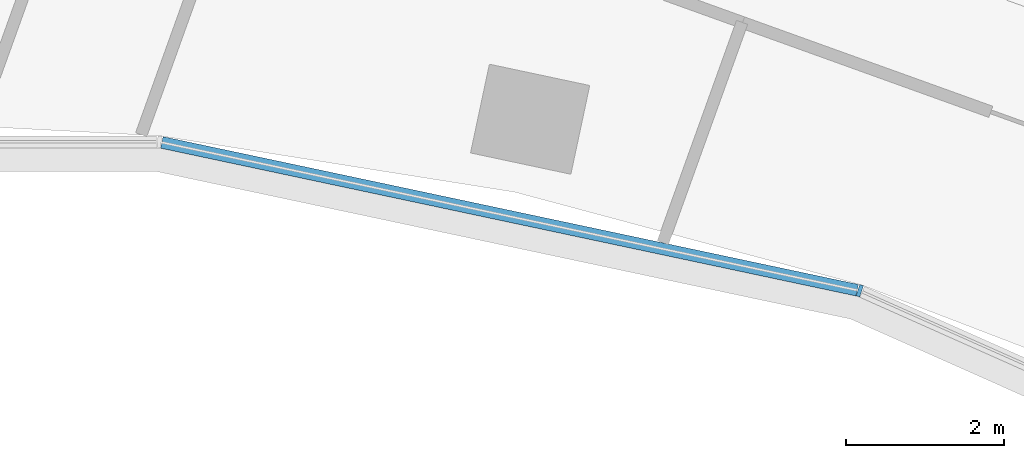
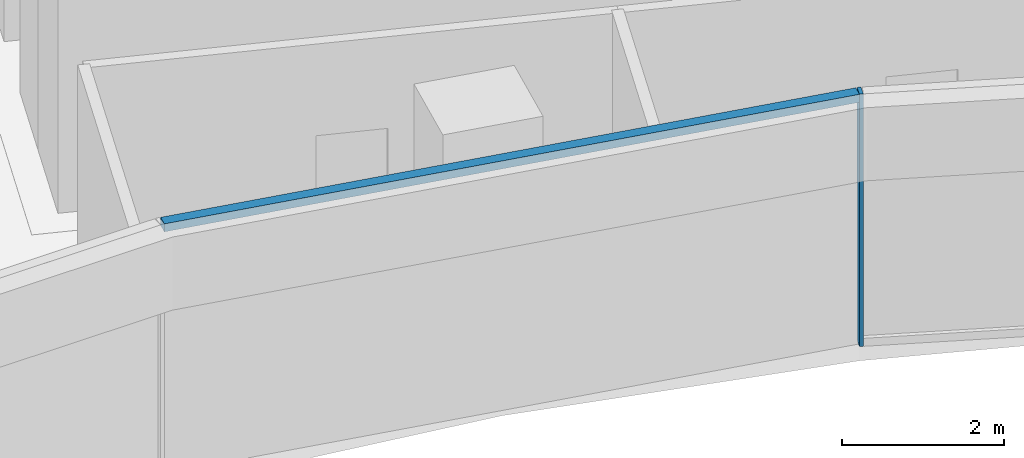
# One storey, part 5 of 22: 2 members, 1 element without a shape of its own.
"""IFC4 building model written with IfcOpenShell, lengths in metres."""

from ifc_helpers import new_model, si_unit, direction, frame, origin, origin_2d, place, context, subcontext, project, spatial, rectangle, extrude, material, layer, layer_set, material_profile, profile_set, type_object, element, aggregate, save


model = new_model("IFC4")

# Units and contexts
model_context = context("Model", 3, precision=1e-05, world=origin(), true_north=direction((0.0, 1.0)))
body_context = subcontext(model_context, "Body", "Model", "MODEL_VIEW")
ifc_project = project(units=[si_unit("LENGTHUNIT", "METRE"), si_unit("AREAUNIT", "SQUARE_METRE"), si_unit("VOLUMEUNIT", "CUBIC_METRE"), si_unit("PLANEANGLEUNIT", "RADIAN"), si_unit("MASSUNIT", "GRAM", prefix="KILO")], contexts=[model_context])

# Site, building, storey
site_placement = place(None, origin())
site = spatial("IfcSite", under=ifc_project, at=site_placement, CompositionType="ELEMENT")
building_placement = place(site_placement, origin())
building = spatial("IfcBuilding", under=site, at=building_placement, Name="Stone Belt Terrace Tower", CompositionType="ELEMENT")
storey_placement = place(building_placement, frame((0.0, 0.0, 121.199951171875)))
storey = spatial("IfcBuildingStorey", under=building, at=storey_placement, Name="L29", CompositionType="ELEMENT", Elevation=121.199951171875)

# Curtain wall, members
ifc_material = material(Name="Aluminium 6063-T6 anodised frame", Category="aluminium")
ifc_layer = layer(ifc_material, 0.14990234375)
ifc_layer_set = layer_set([ifc_layer], Name="CW-B unitised concave-face curtain wall")
curtain_wall_type = type_object("IfcCurtainWallType", Name="CW-B unitised concave-face curtain wall", PredefinedType="NOTDEFINED", material=ifc_layer_set)
curtain_wall_placement = place(storey_placement, origin())
curtain_wall = element("IfcCurtainWall", 1, at=curtain_wall_placement, inside=storey, type_object=curtain_wall_type, Name="CW-B concave face L29", PredefinedType="NOTDEFINED")
ifc_material_profile_1 = material_profile(ifc_material, rectangle(XDim=0.14990234375, YDim=0.050048828125, at=origin_2d()), Name="Aluminium 6063-T6 50x150")
ifc_profile_set_1 = profile_set([ifc_material_profile_1], Name="Aluminium 6063-T6 anodised frame")
member_type_1 = type_object("IfcMemberType", Name="CW-B mullion 50 x 150", PredefinedType="MULLION", material=ifc_profile_set_1)
member_1_placement = place(storey_placement, frame((13.4189453125, 41.29931640625, 0.0), z_axis=(0.0, 0.0, 1.0), x_axis=(0.309016994375, 0.951056516295, 0.0)))
member_1 = element("IfcMember", 2, at=member_1_placement, type_object=member_type_1, Name="CW-B mullion 7", PredefinedType="MULLION", context=body_context, shape_type="SweptSolid", body=[
    extrude(rectangle(XDim=0.14990234375, YDim=0.050048828125, at=origin_2d()), origin(), (0.0, 0.0, 1.0), 3.800048828125),
])
ifc_material_profile_2 = material_profile(ifc_material, rectangle(XDim=0.14990234375, YDim=0.1201171875, at=origin_2d()), Name="Aluminium 6063-T6 150x120")
ifc_profile_set_2 = profile_set([ifc_material_profile_2], Name="Aluminium 6063-T6 anodised frame")
member_type_2 = type_object("IfcMemberType", Name="CW-B transom 120 x 150", PredefinedType="USERDEFINED", material=ifc_profile_set_2)
member_2_placement = place(storey_placement, frame((4.571044921875, 43.179931640625, 3.739990234375), z_axis=(0.9781499003, -0.207900871914, 0.0), x_axis=(0.207900871914, 0.9781499003, 0.0)))
member_2 = element("IfcMember", 3, at=member_2_placement, type_object=member_type_2, Name="CW-B transom 6.1", ObjectType="TRANSOM", PredefinedType="USERDEFINED", context=body_context, shape_type="SweptSolid", body=[
    extrude(rectangle(XDim=0.14990234375, YDim=0.1201171875, at=origin_2d()), origin(), (0.0, 0.0, 1.0), 9.012939453125),
])
aggregate(curtain_wall, [member_1, member_2])

save(model, "model.ifc")
